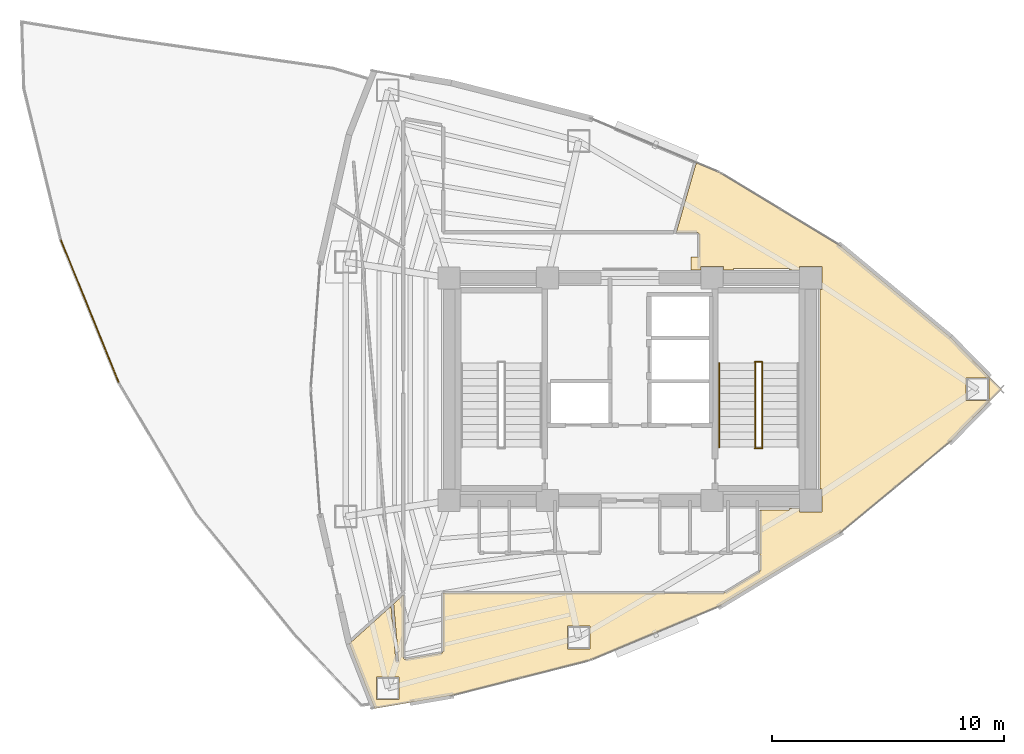
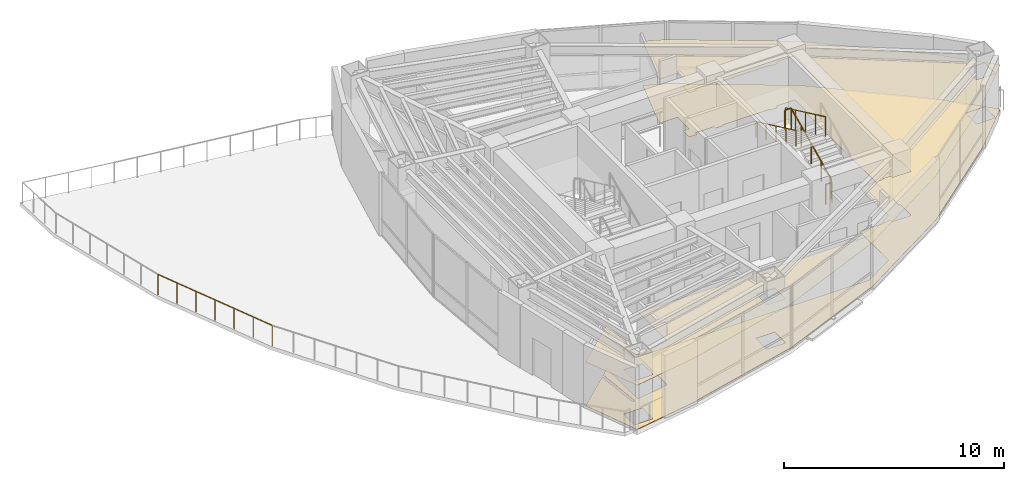
# One storey, part 16 of 17: 6 railings, 2 coverings.
"""IFC4 building model written with IfcOpenShell, lengths in metres."""

from ifc_helpers import new_model, si_unit, direction, frame, origin, origin_2d, place, context, subcontext, project, spatial, polyline, circle, outline, extrude, material, layer, layer_set, type_object, element, save


model = new_model("IFC4")

# Units and contexts
model_context = context("Model", 3, precision=1e-05, world=origin(), true_north=direction((0.0, 1.0)))
body_context = subcontext(model_context, "Body", "Model", "MODEL_VIEW")
ifc_project = project(units=[si_unit("LENGTHUNIT", "METRE"), si_unit("AREAUNIT", "SQUARE_METRE"), si_unit("VOLUMEUNIT", "CUBIC_METRE"), si_unit("PLANEANGLEUNIT", "RADIAN"), si_unit("MASSUNIT", "GRAM", prefix="KILO")], contexts=[model_context])

# Site, building, storey
site_placement = place(None, origin())
site = spatial("IfcSite", under=ifc_project, at=site_placement, CompositionType="ELEMENT")
building_placement = place(site_placement, origin())
building = spatial("IfcBuilding", under=site, at=building_placement, Name="Menara Vayukalpa", CompositionType="ELEMENT")
storey_placement = place(building_placement, frame((0.0, 0.0, 206.39990234375)))
storey = spatial("IfcBuildingStorey", under=building, at=storey_placement, Name="L52", CompositionType="ELEMENT", Elevation=206.39990234375)

# Coverings
ifc_material_1 = material(Name="Mineral Fibre Acoustic Ceiling Tile", Category="masonry")
ifc_layer_1 = layer(ifc_material_1, 0.02490234375)
ifc_layer_set_1 = layer_set([ifc_layer_1], Name="Mineral Fibre Acoustic Ceiling Tile")
covering_type_1 = type_object("IfcCoveringType", Name="COV-CLG1", PredefinedType="CEILING", material=ifc_layer_set_1)
covering_1_placement = place(storey_placement, frame((0.0, 0.0, 2.4501953125)))
element("IfcCovering", 1, at=covering_1_placement, inside=storey, type_object=covering_type_1, Name="L52 Open Plan Office Workplace Acoustic Ceiling", PredefinedType="CEILING", context=body_context, shape_type="SweptSolid", body=[
    extrude(outline(polyline([(32.909912109375, 16.85009765625), (32.909912109375, 16.7099609375), (33.889892578125, 16.7099609375), (33.889892578125, 17.68994140625), (33.81005859375, 17.68994140625), (33.81005859375, 26.31005859375), (33.889892578125, 26.31005859375), (33.889892578125, 27.2900390625), (32.909912109375, 27.2900390625), (32.909912109375, 27.14990234375), (32.489990234375, 27.14990234375), (32.489990234375, 27.2099609375), (30.06005859375, 27.2099609375), (30.06005859375, 27.14990234375), (29.639892578125, 27.14990234375), (29.639892578125, 27.2900390625), (28.659912109375, 27.2900390625), (28.659912109375, 27.14990234375), (28.239990234375, 27.14990234375), (28.239990234375, 27.7099609375), (28.570068359375, 27.7099609375), (28.570068359375, 28.69970703125), (28.569580078125, 28.706787109375), (28.568603515625, 28.713623046875), (28.56689453125, 28.72021484375), (28.564697265625, 28.726806640625), (28.561767578125, 28.73291015625), (28.55810546875, 28.73876953125), (28.553955078125, 28.744384765625), (28.549560546875, 28.74951171875), (28.54443359375, 28.75390625), (28.538818359375, 28.75830078125), (28.532958984375, 28.76171875), (28.52685546875, 28.7646484375), (28.520263671875, 28.76708984375), (28.513671875, 28.768798828125), (28.5068359375, 28.76953125), (28.499755859375, 28.77001953125), (27.616943359375, 28.77001953125), (27.615966796875, 28.77001953125), (27.614990234375, 28.770263671875), (27.614013671875, 28.7705078125), (27.61328125, 28.770751953125), (27.6123046875, 28.771240234375), (27.611572265625, 28.771728515625), (27.610595703125, 28.772216796875), (27.610107421875, 28.77294921875), (27.609375, 28.773681640625), (27.608642578125, 28.7744140625), (27.608154296875, 28.775146484375), (27.60791015625, 28.776123046875), (27.607421875, 28.777099609375), (27.607177734375, 28.77783203125), (27.607177734375, 28.77880859375), (27.60693359375, 28.77978515625), (27.60693359375, 28.78076171875), (27.607177734375, 28.78173828125), (27.607421875, 28.78271484375), (28.459228515625, 31.75390625), (28.459716796875, 31.754638671875), (28.4599609375, 31.755615234375), (28.46044921875, 31.756591796875), (28.461181640625, 31.75732421875), (28.4619140625, 31.758056640625), (28.46240234375, 31.7587890625), (28.46337890625, 31.75927734375), (28.464111328125, 31.759765625), (28.465087890625, 31.76025390625), (28.466064453125, 31.760498046875), (28.466796875, 31.7607421875), (28.468017578125, 31.760986328125), (28.468994140625, 31.760986328125), (28.469970703125, 31.760986328125), (28.470947265625, 31.7607421875), (28.4716796875, 31.760498046875), (28.472900390625, 31.76025390625), (29.478515625, 31.33935546875), (29.479248046875, 31.339111328125), (29.47998046875, 31.338623046875), (34.660888671875, 28.19140625), (34.662109375, 28.190673828125), (39.431884765625, 24.235107421875), (39.4326171875, 24.234375), (41.61962890625, 22.007080078125), (41.620361328125, 22.00634765625), (41.620849609375, 22.005615234375), (41.621337890625, 22.004638671875), (41.621826171875, 22.00390625), (41.6220703125, 22.0029296875), (41.622314453125, 22.001953125), (41.62255859375, 22.0009765625), (41.62255859375, 22.0), (41.62255859375, 21.9990234375), (41.622314453125, 21.998046875), (41.6220703125, 21.9970703125), (41.621826171875, 21.99609375), (41.621337890625, 21.995361328125), (41.620849609375, 21.994384765625), (41.620361328125, 21.99365234375), (41.61962890625, 21.992919921875), (39.4326171875, 19.765625), (39.431884765625, 19.764892578125), (34.662109375, 15.809326171875), (34.660888671875, 15.80859375), (29.47998046875, 12.661376953125), (29.479248046875, 12.660888671875), (29.478515625, 12.66064453125), (23.885986328125, 10.3212890625), (23.884765625, 10.32080078125), (17.8798828125, 8.789306640625), (17.879150390625, 8.7890625), (14.59423828125, 8.2314453125), (14.59326171875, 8.231201171875), (14.59228515625, 8.231201171875), (14.59130859375, 8.2314453125), (14.59033203125, 8.2314453125), (14.58935546875, 8.231689453125), (14.58837890625, 8.232177734375), (14.587646484375, 8.232666015625), (14.5869140625, 8.233154296875), (14.5859375, 8.233642578125), (14.585205078125, 8.234375), (14.584716796875, 8.235107421875), (14.583984375, 8.23583984375), (14.58349609375, 8.23681640625), (14.583251953125, 8.237548828125), (13.494140625, 11.010498046875), (13.493896484375, 11.011474609375), (13.49365234375, 11.012451171875), (13.493408203125, 11.01318359375), (13.493408203125, 11.014404296875), (13.49365234375, 11.015380859375), (13.49365234375, 11.01611328125), (13.493896484375, 11.01708984375), (13.494384765625, 11.01806640625), (13.49462890625, 11.018798828125), (13.4951171875, 11.019775390625), (13.49560546875, 11.0205078125), (13.496337890625, 11.021240234375), (13.4970703125, 11.02197265625), (13.498779296875, 11.023193359375), (15.280517578125, 12.62744140625), (15.28125, 12.6279296875), (15.281982421875, 12.628662109375), (15.28271484375, 12.62890625), (15.28369140625, 12.62939453125), (15.28466796875, 12.629638671875), (15.28564453125, 12.6298828125), (15.28662109375, 12.6298828125), (15.28759765625, 12.6298828125), (15.288330078125, 12.6298828125), (15.289306640625, 12.629638671875), (15.290283203125, 12.62939453125), (15.291259765625, 12.629150390625), (15.2919921875, 12.628662109375), (15.29296875, 12.628173828125), (15.293701171875, 12.627685546875), (15.294189453125, 12.626953125), (15.294921875, 12.626220703125), (15.29541015625, 12.62548828125), (15.2958984375, 12.62451171875), (15.29638671875, 12.623779296875), (15.296630859375, 12.622802734375), (15.296875, 12.621826171875), (15.297119140625, 12.620849609375), (15.501953125, 10.279052734375), (15.502685546875, 10.27294921875), (15.504150390625, 10.26708984375), (15.506103515625, 10.26171875), (15.508544921875, 10.256103515625), (15.511474609375, 10.251220703125), (15.514892578125, 10.246337890625), (15.518798828125, 10.241943359375), (15.523193359375, 10.238037109375), (15.52783203125, 10.234619140625), (15.532958984375, 10.2314453125), (15.5380859375, 10.228759765625), (15.543701171875, 10.226806640625), (15.54931640625, 10.225341796875), (15.55517578125, 10.224365234375), (15.56103515625, 10.22412109375), (15.56689453125, 10.22412109375), (15.57275390625, 10.22509765625), (15.57861328125, 10.226318359375), (15.583984375, 10.228271484375), (15.589599609375, 10.230712890625), (15.594482421875, 10.233642578125), (15.599365234375, 10.2373046875), (15.603759765625, 10.2412109375), (15.607666015625, 10.245361328125), (15.611083984375, 10.25), (15.6142578125, 10.255126953125), (15.616943359375, 10.260498046875), (15.618896484375, 10.26611328125), (15.62060546875, 10.271484375), (15.621337890625, 10.27734375), (15.62158203125, 10.283203125), (15.62158203125, 10.28955078125), (15.407470703125, 12.736328125), (15.407470703125, 12.737548828125), (15.407470703125, 12.738525390625), (15.40771484375, 12.739501953125), (15.407958984375, 12.740478515625), (15.408203125, 12.741455078125), (15.40869140625, 12.7421875), (15.4091796875, 12.7431640625), (15.409912109375, 12.743896484375), (15.41064453125, 12.74462890625), (15.813232421875, 13.107421875), (15.814208984375, 13.10791015625), (15.81494140625, 13.1083984375), (15.81591796875, 13.10888671875), (15.816650390625, 13.109375), (15.817626953125, 13.109619140625), (15.818603515625, 13.10986328125), (15.819580078125, 13.10986328125), (15.82080078125, 13.10986328125), (15.82177734375, 13.10986328125), (15.82275390625, 13.109619140625), (15.823486328125, 13.109130859375), (15.824462890625, 13.10888671875), (15.825439453125, 13.1083984375), (15.826171875, 13.107666015625), (15.826904296875, 13.107177734375), (15.82763671875, 13.1064453125), (15.828125, 13.105712890625), (15.828857421875, 13.104736328125), (15.8291015625, 13.103759765625), (15.82958984375, 13.102783203125), (15.829833984375, 13.101806640625), (15.829833984375, 13.100830078125), (15.830078125, 13.099853515625), (15.830078125, 10.421142578125), (15.830322265625, 10.414306640625), (15.831298828125, 10.407470703125), (15.8330078125, 10.40087890625), (15.835205078125, 10.39453125), (15.837890625, 10.388427734375), (15.841552734375, 10.382568359375), (15.845458984375, 10.376953125), (15.849853515625, 10.3720703125), (15.854736328125, 10.367431640625), (15.860107421875, 10.36328125), (15.865966796875, 10.35986328125), (15.8720703125, 10.356689453125), (15.87841796875, 10.354248046875), (15.884765625, 10.3525390625), (15.8916015625, 10.351318359375), (15.898193359375, 10.350830078125), (15.905029296875, 10.35107421875), (15.912109375, 10.351806640625), (17.471435546875, 10.61669921875), (17.478515625, 10.6181640625), (17.485107421875, 10.62060546875), (17.49169921875, 10.623291015625), (17.497802734375, 10.626708984375), (17.50341796875, 10.630859375), (17.508544921875, 10.635498046875), (17.513427734375, 10.640625), (17.517822265625, 10.646240234375), (17.521484375, 10.652099609375), (17.5244140625, 10.658447265625), (17.52685546875, 10.664794921875), (17.528564453125, 10.671875), (17.529541015625, 10.6787109375), (17.530029296875, 10.685791015625), (17.530029296875, 13.2099609375), (17.530029296875, 13.2109375), (17.5302734375, 13.2119140625), (17.530517578125, 13.212890625), (17.53076171875, 13.2138671875), (17.53125, 13.214599609375), (17.53173828125, 13.215576171875), (17.5322265625, 13.21630859375), (17.532958984375, 13.217041015625), (17.53369140625, 13.2177734375), (17.534423828125, 13.21826171875), (17.535400390625, 13.21875), (17.5361328125, 13.21923828125), (17.537109375, 13.219482421875), (17.5380859375, 13.2197265625), (17.5390625, 13.219970703125), (17.5400390625, 13.219970703125), (29.667236328125, 13.219970703125), (29.673828125, 13.22021484375), (29.68017578125, 13.22119140625), (29.686279296875, 13.22265625), (29.6923828125, 13.224609375), (29.6982421875, 13.22705078125), (29.7041015625, 13.230224609375), (31.18603515625, 14.130615234375), (31.1923828125, 14.134765625), (31.19775390625, 14.139404296875), (31.20263671875, 14.14453125), (31.20703125, 14.150146484375), (31.2109375, 14.15625), (31.214111328125, 14.16259765625), (31.216552734375, 14.16943359375), (31.218505859375, 14.176513671875), (31.219482421875, 14.183349609375), (31.219970703125, 14.19091796875), (31.219970703125, 14.849609375), (31.219482421875, 14.856689453125), (31.21875, 14.86376953125), (31.217041015625, 14.870361328125), (31.214599609375, 14.876708984375), (31.2119140625, 14.8828125), (31.211669921875, 14.883056640625), (31.211181640625, 14.8837890625), (31.210693359375, 14.884765625), (31.21044921875, 14.8857421875), (31.210205078125, 14.88671875), (31.2099609375, 14.8876953125), (31.2099609375, 14.888671875), (31.2099609375, 16.780029296875), (31.2099609375, 16.781005859375), (31.210205078125, 16.781982421875), (31.21044921875, 16.782958984375), (31.210693359375, 16.78369140625), (31.211181640625, 16.78466796875), (31.211669921875, 16.78564453125), (31.21240234375, 16.786376953125), (31.212890625, 16.787109375), (31.213623046875, 16.78759765625), (31.21435546875, 16.788330078125), (31.21533203125, 16.788818359375), (31.21630859375, 16.789306640625), (31.217041015625, 16.78955078125), (31.218017578125, 16.789794921875), (31.218994140625, 16.7900390625), (31.219970703125, 16.7900390625), (32.489990234375, 16.7900390625), (32.489990234375, 16.85009765625), (32.909912109375, 16.85009765625)]), holes=[polyline([(14.664794921875, 9.58740234375), (14.664794921875, 8.607421875), (15.644775390625, 8.607421875), (15.644775390625, 9.58740234375), (14.664794921875, 9.58740234375)]), polyline([(23.87939453125, 11.781494140625), (22.8994140625, 11.781494140625), (22.8994140625, 10.801513671875), (23.87939453125, 10.801513671875), (23.87939453125, 11.781494140625)]), polyline([(41.08056640625, 22.489990234375), (40.1005859375, 22.489990234375), (40.1005859375, 21.510009765625), (41.08056640625, 21.510009765625), (41.08056640625, 22.489990234375)])]), origin(), (0.0, 0.0, 1.0), 0.02490234375),
])
ifc_material_2 = material(Name="Porcelain Stoneware Floor Tile", Category="masonry")
ifc_layer_2 = layer(ifc_material_2, 0.02001953125)
ifc_layer_set_2 = layer_set([ifc_layer_2], Name="Porcelain Stoneware Floor Tile")
covering_type_2 = type_object("IfcCoveringType", Name="COV-FLR1", PredefinedType="FLOORING", material=ifc_layer_set_2)
covering_2_placement = place(storey_placement, origin())
element("IfcCovering", 2, at=covering_2_placement, inside=storey, type_object=covering_type_2, Name="L52 Open Plan Office Workplace Porcelain Flooring", PredefinedType="FLOORING", context=body_context, shape_type="SweptSolid", body=[
    extrude(outline(polyline([(32.909912109375, 16.85009765625), (32.909912109375, 16.7099609375), (33.889892578125, 16.7099609375), (33.889892578125, 17.68994140625), (33.81005859375, 17.68994140625), (33.81005859375, 26.31005859375), (33.889892578125, 26.31005859375), (33.889892578125, 27.2900390625), (32.909912109375, 27.2900390625), (32.909912109375, 27.14990234375), (32.489990234375, 27.14990234375), (32.489990234375, 27.2099609375), (30.06005859375, 27.2099609375), (30.06005859375, 27.14990234375), (29.639892578125, 27.14990234375), (29.639892578125, 27.2900390625), (28.659912109375, 27.2900390625), (28.659912109375, 27.14990234375), (28.239990234375, 27.14990234375), (28.239990234375, 27.7099609375), (28.570068359375, 27.7099609375), (28.570068359375, 28.69970703125), (28.569580078125, 28.706787109375), (28.568603515625, 28.713623046875), (28.56689453125, 28.72021484375), (28.564697265625, 28.726806640625), (28.561767578125, 28.73291015625), (28.55810546875, 28.73876953125), (28.553955078125, 28.744384765625), (28.549560546875, 28.74951171875), (28.54443359375, 28.75390625), (28.538818359375, 28.75830078125), (28.532958984375, 28.76171875), (28.52685546875, 28.7646484375), (28.520263671875, 28.76708984375), (28.513671875, 28.768798828125), (28.5068359375, 28.76953125), (28.499755859375, 28.77001953125), (27.616943359375, 28.77001953125), (27.615966796875, 28.77001953125), (27.614990234375, 28.770263671875), (27.614013671875, 28.7705078125), (27.61328125, 28.770751953125), (27.6123046875, 28.771240234375), (27.611572265625, 28.771728515625), (27.610595703125, 28.772216796875), (27.610107421875, 28.77294921875), (27.609375, 28.773681640625), (27.608642578125, 28.7744140625), (27.608154296875, 28.775146484375), (27.60791015625, 28.776123046875), (27.607421875, 28.777099609375), (27.607177734375, 28.77783203125), (27.607177734375, 28.77880859375), (27.60693359375, 28.77978515625), (27.60693359375, 28.78076171875), (27.607177734375, 28.78173828125), (27.607421875, 28.78271484375), (28.459228515625, 31.75390625), (28.459716796875, 31.754638671875), (28.4599609375, 31.755615234375), (28.46044921875, 31.756591796875), (28.461181640625, 31.75732421875), (28.4619140625, 31.758056640625), (28.46240234375, 31.7587890625), (28.46337890625, 31.75927734375), (28.464111328125, 31.759765625), (28.465087890625, 31.76025390625), (28.466064453125, 31.760498046875), (28.466796875, 31.7607421875), (28.468017578125, 31.760986328125), (28.468994140625, 31.760986328125), (28.469970703125, 31.760986328125), (28.470947265625, 31.7607421875), (28.4716796875, 31.760498046875), (28.472900390625, 31.76025390625), (29.478515625, 31.33935546875), (29.479248046875, 31.339111328125), (29.47998046875, 31.338623046875), (34.660888671875, 28.19140625), (34.662109375, 28.190673828125), (39.431884765625, 24.235107421875), (39.4326171875, 24.234375), (41.61962890625, 22.007080078125), (41.620361328125, 22.00634765625), (41.620849609375, 22.005615234375), (41.621337890625, 22.004638671875), (41.621826171875, 22.00390625), (41.6220703125, 22.0029296875), (41.622314453125, 22.001953125), (41.62255859375, 22.0009765625), (41.62255859375, 22.0), (41.62255859375, 21.9990234375), (41.622314453125, 21.998046875), (41.6220703125, 21.9970703125), (41.621826171875, 21.99609375), (41.621337890625, 21.995361328125), (41.620849609375, 21.994384765625), (41.620361328125, 21.99365234375), (41.61962890625, 21.992919921875), (39.4326171875, 19.765625), (39.431884765625, 19.764892578125), (34.662109375, 15.809326171875), (34.660888671875, 15.80859375), (29.47998046875, 12.661376953125), (29.479248046875, 12.660888671875), (29.478515625, 12.66064453125), (23.885986328125, 10.3212890625), (23.884765625, 10.32080078125), (17.8798828125, 8.789306640625), (17.879150390625, 8.7890625), (14.59423828125, 8.2314453125), (14.59326171875, 8.231201171875), (14.59228515625, 8.231201171875), (14.59130859375, 8.2314453125), (14.59033203125, 8.2314453125), (14.58935546875, 8.231689453125), (14.58837890625, 8.232177734375), (14.587646484375, 8.232666015625), (14.5869140625, 8.233154296875), (14.5859375, 8.233642578125), (14.585205078125, 8.234375), (14.584716796875, 8.235107421875), (14.583984375, 8.23583984375), (14.58349609375, 8.23681640625), (14.583251953125, 8.237548828125), (13.494140625, 11.010498046875), (13.493896484375, 11.011474609375), (13.49365234375, 11.012451171875), (13.493408203125, 11.01318359375), (13.493408203125, 11.014404296875), (13.49365234375, 11.015380859375), (13.49365234375, 11.01611328125), (13.493896484375, 11.01708984375), (13.494384765625, 11.01806640625), (13.49462890625, 11.018798828125), (13.4951171875, 11.019775390625), (13.49560546875, 11.0205078125), (13.496337890625, 11.021240234375), (13.4970703125, 11.02197265625), (13.498779296875, 11.023193359375), (15.280517578125, 12.62744140625), (15.28125, 12.6279296875), (15.281982421875, 12.628662109375), (15.28271484375, 12.62890625), (15.28369140625, 12.62939453125), (15.28466796875, 12.629638671875), (15.28564453125, 12.6298828125), (15.28662109375, 12.6298828125), (15.28759765625, 12.6298828125), (15.288330078125, 12.6298828125), (15.289306640625, 12.629638671875), (15.290283203125, 12.62939453125), (15.291259765625, 12.629150390625), (15.2919921875, 12.628662109375), (15.29296875, 12.628173828125), (15.293701171875, 12.627685546875), (15.294189453125, 12.626953125), (15.294921875, 12.626220703125), (15.29541015625, 12.62548828125), (15.2958984375, 12.62451171875), (15.29638671875, 12.623779296875), (15.296630859375, 12.622802734375), (15.296875, 12.621826171875), (15.297119140625, 12.620849609375), (15.501953125, 10.279052734375), (15.502685546875, 10.27294921875), (15.504150390625, 10.26708984375), (15.506103515625, 10.26171875), (15.508544921875, 10.256103515625), (15.511474609375, 10.251220703125), (15.514892578125, 10.246337890625), (15.518798828125, 10.241943359375), (15.523193359375, 10.238037109375), (15.52783203125, 10.234619140625), (15.532958984375, 10.2314453125), (15.5380859375, 10.228759765625), (15.543701171875, 10.226806640625), (15.54931640625, 10.225341796875), (15.55517578125, 10.224365234375), (15.56103515625, 10.22412109375), (15.56689453125, 10.22412109375), (15.57275390625, 10.22509765625), (15.57861328125, 10.226318359375), (15.583984375, 10.228271484375), (15.589599609375, 10.230712890625), (15.594482421875, 10.233642578125), (15.599365234375, 10.2373046875), (15.603759765625, 10.2412109375), (15.607666015625, 10.245361328125), (15.611083984375, 10.25), (15.6142578125, 10.255126953125), (15.616943359375, 10.260498046875), (15.618896484375, 10.26611328125), (15.62060546875, 10.271484375), (15.621337890625, 10.27734375), (15.62158203125, 10.283203125), (15.62158203125, 10.28955078125), (15.407470703125, 12.736328125), (15.407470703125, 12.737548828125), (15.407470703125, 12.738525390625), (15.40771484375, 12.739501953125), (15.407958984375, 12.740478515625), (15.408203125, 12.741455078125), (15.40869140625, 12.7421875), (15.4091796875, 12.7431640625), (15.409912109375, 12.743896484375), (15.41064453125, 12.74462890625), (15.813232421875, 13.107421875), (15.814208984375, 13.10791015625), (15.81494140625, 13.1083984375), (15.81591796875, 13.10888671875), (15.816650390625, 13.109375), (15.817626953125, 13.109619140625), (15.818603515625, 13.10986328125), (15.819580078125, 13.10986328125), (15.82080078125, 13.10986328125), (15.82177734375, 13.10986328125), (15.82275390625, 13.109619140625), (15.823486328125, 13.109130859375), (15.824462890625, 13.10888671875), (15.825439453125, 13.1083984375), (15.826171875, 13.107666015625), (15.826904296875, 13.107177734375), (15.82763671875, 13.1064453125), (15.828125, 13.105712890625), (15.828857421875, 13.104736328125), (15.8291015625, 13.103759765625), (15.82958984375, 13.102783203125), (15.829833984375, 13.101806640625), (15.829833984375, 13.100830078125), (15.830078125, 13.099853515625), (15.830078125, 10.421142578125), (15.830322265625, 10.414306640625), (15.831298828125, 10.407470703125), (15.8330078125, 10.40087890625), (15.835205078125, 10.39453125), (15.837890625, 10.388427734375), (15.841552734375, 10.382568359375), (15.845458984375, 10.376953125), (15.849853515625, 10.3720703125), (15.854736328125, 10.367431640625), (15.860107421875, 10.36328125), (15.865966796875, 10.35986328125), (15.8720703125, 10.356689453125), (15.87841796875, 10.354248046875), (15.884765625, 10.3525390625), (15.8916015625, 10.351318359375), (15.898193359375, 10.350830078125), (15.905029296875, 10.35107421875), (15.912109375, 10.351806640625), (17.471435546875, 10.61669921875), (17.478515625, 10.6181640625), (17.485107421875, 10.62060546875), (17.49169921875, 10.623291015625), (17.497802734375, 10.626708984375), (17.50341796875, 10.630859375), (17.508544921875, 10.635498046875), (17.513427734375, 10.640625), (17.517822265625, 10.646240234375), (17.521484375, 10.652099609375), (17.5244140625, 10.658447265625), (17.52685546875, 10.664794921875), (17.528564453125, 10.671875), (17.529541015625, 10.6787109375), (17.530029296875, 10.685791015625), (17.530029296875, 13.2099609375), (17.530029296875, 13.2109375), (17.5302734375, 13.2119140625), (17.530517578125, 13.212890625), (17.53076171875, 13.2138671875), (17.53125, 13.214599609375), (17.53173828125, 13.215576171875), (17.5322265625, 13.21630859375), (17.532958984375, 13.217041015625), (17.53369140625, 13.2177734375), (17.534423828125, 13.21826171875), (17.535400390625, 13.21875), (17.5361328125, 13.21923828125), (17.537109375, 13.219482421875), (17.5380859375, 13.2197265625), (17.5390625, 13.219970703125), (17.5400390625, 13.219970703125), (29.667236328125, 13.219970703125), (29.673828125, 13.22021484375), (29.68017578125, 13.22119140625), (29.686279296875, 13.22265625), (29.6923828125, 13.224609375), (29.6982421875, 13.22705078125), (29.7041015625, 13.230224609375), (31.18603515625, 14.130615234375), (31.1923828125, 14.134765625), (31.19775390625, 14.139404296875), (31.20263671875, 14.14453125), (31.20703125, 14.150146484375), (31.2109375, 14.15625), (31.214111328125, 14.16259765625), (31.216552734375, 14.16943359375), (31.218505859375, 14.176513671875), (31.219482421875, 14.183349609375), (31.219970703125, 14.19091796875), (31.219970703125, 14.849609375), (31.219482421875, 14.856689453125), (31.21875, 14.86376953125), (31.217041015625, 14.870361328125), (31.214599609375, 14.876708984375), (31.2119140625, 14.8828125), (31.211669921875, 14.883056640625), (31.211181640625, 14.8837890625), (31.210693359375, 14.884765625), (31.21044921875, 14.8857421875), (31.210205078125, 14.88671875), (31.2099609375, 14.8876953125), (31.2099609375, 14.888671875), (31.2099609375, 16.780029296875), (31.2099609375, 16.781005859375), (31.210205078125, 16.781982421875), (31.21044921875, 16.782958984375), (31.210693359375, 16.78369140625), (31.211181640625, 16.78466796875), (31.211669921875, 16.78564453125), (31.21240234375, 16.786376953125), (31.212890625, 16.787109375), (31.213623046875, 16.78759765625), (31.21435546875, 16.788330078125), (31.21533203125, 16.788818359375), (31.21630859375, 16.789306640625), (31.217041015625, 16.78955078125), (31.218017578125, 16.789794921875), (31.218994140625, 16.7900390625), (31.219970703125, 16.7900390625), (32.489990234375, 16.7900390625), (32.489990234375, 16.85009765625), (32.909912109375, 16.85009765625)]), holes=[polyline([(14.664794921875, 9.58740234375), (14.664794921875, 8.607421875), (15.644775390625, 8.607421875), (15.644775390625, 9.58740234375), (14.664794921875, 9.58740234375)]), polyline([(23.87939453125, 11.781494140625), (22.8994140625, 11.781494140625), (22.8994140625, 10.801513671875), (23.87939453125, 10.801513671875), (23.87939453125, 11.781494140625)]), polyline([(41.08056640625, 22.489990234375), (40.1005859375, 22.489990234375), (40.1005859375, 21.510009765625), (41.08056640625, 21.510009765625), (41.08056640625, 22.489990234375)])]), origin(), (0.0, 0.0, 1.0), 0.02001953125),
])

# Railings
ifc_material_3 = material(Name="Laminated Glass and Stainless Steel 316 Guardrail", Category="steel")
railing_type_1 = type_object("IfcRailingType", Name="RLG-EXT115", PredefinedType="GUARDRAIL", material=ifc_material_3)
railing_1_placement = place(storey_placement, frame((3.536865234375, 22.316162109375, 0.0)))
element("IfcRailing", 3, at=railing_1_placement, inside=storey, type_object=railing_type_1, Name="L52 Sky Terrace Perimeter Guardrail 04", PredefinedType="GUARDRAIL", context=body_context, shape_type="SweptSolid", body=[
    extrude(circle(Radius=0.02392578125, at=origin_2d()), frame((0.0, 0.0, 1.1259765625), z_axis=(-0.376103891041, 0.926577499805, 0.0), x_axis=(-0.926577499805, -0.376103891041, 0.0)), (0.0, 0.0, 1.0), 6.59326171875),
    extrude(circle(Radius=0.02099609375, at=origin_2d()), origin(), (0.0, 0.0, 1.0), 1.101806640625),
    extrude(circle(Radius=0.02099609375, at=origin_2d()), frame((-0.413330078125, 1.01806640625, 0.0)), (0.0, 0.0, 1.0), 1.101806640625),
    extrude(circle(Radius=0.02099609375, at=origin_2d()), frame((-0.82666015625, 2.036376953125, 0.0)), (0.0, 0.0, 1.0), 1.101806640625),
    extrude(circle(Radius=0.02099609375, at=origin_2d()), frame((-1.23974609375, 3.0546875, 0.0)), (0.0, 0.0, 1.0), 1.101806640625),
    extrude(circle(Radius=0.02099609375, at=origin_2d()), frame((-1.653076171875, 4.07275390625, 0.0)), (0.0, 0.0, 1.0), 1.101806640625),
    extrude(circle(Radius=0.02099609375, at=origin_2d()), frame((-2.06640625, 5.0908203125, 0.0)), (0.0, 0.0, 1.0), 1.101806640625),
    extrude(circle(Radius=0.02099609375, at=origin_2d()), frame((-2.479736328125, 6.109130859375, 0.0)), (0.0, 0.0, 1.0), 1.101806640625),
])
ifc_material_4 = material(Name="Powder-Coated Galvanised Steel Guardrail", Category="steel")
railing_type_2 = type_object("IfcRailingType", Name="RLG-STG110", PredefinedType="GUARDRAIL", material=ifc_material_4)
railing_2_placement = place(storey_placement, frame((31.300048828125, 19.5, 0.155029296875)))
element("IfcRailing", 4, at=railing_2_placement, inside=storey, type_object=railing_type_2, Name="L52 ST-2 stair guard 1", PredefinedType="GUARDRAIL", context=body_context, shape_type="SweptSolid", body=[
    extrude(circle(Radius=0.02392578125, at=origin_2d()), frame((0.0, 0.0, 1.09619140625), z_axis=(0.0, 0.90511648382, 0.425163675209), x_axis=(-1.0, 0.0, 0.0)), (0.0, 0.0, 1.0), 4.010498046875),
    extrude(circle(Radius=0.02099609375, at=origin_2d()), origin(), (0.0, 0.0, 1.0), 1.072021484375),
    extrude(circle(Radius=0.02099609375, at=origin_2d()), frame((0.0, 0.907470703125, 0.42626953125)), (0.0, 0.0, 1.0), 1.072021484375),
    extrude(circle(Radius=0.02099609375, at=origin_2d()), frame((0.0, 1.81494140625, 0.8525390625)), (0.0, 0.0, 1.0), 1.072021484375),
    extrude(circle(Radius=0.02099609375, at=origin_2d()), frame((0.0, 2.722412109375, 1.27880859375)), (0.0, 0.0, 1.0), 1.072021484375),
    extrude(circle(Radius=0.02099609375, at=origin_2d()), frame((0.0, 3.6298828125, 1.705078125)), (0.0, 0.0, 1.0), 1.072021484375),
])
railing_3_placement = place(storey_placement, frame((31.31005859375, 23.179931640625, 1.860107421875)))
element("IfcRailing", 5, at=railing_3_placement, inside=storey, type_object=railing_type_2, Name="L52 ST-2 stair guard 2", PredefinedType="GUARDRAIL", context=body_context, shape_type="SweptSolid", body=[
    extrude(circle(Radius=0.02392578125, at=origin_2d()), frame((0.0, 0.0, 1.09619140625), z_axis=(-1.0, 0.0, 0.0), x_axis=(0.0, -1.0, 0.0)), (0.0, 0.0, 1.0), 0.320068359375),
    extrude(circle(Radius=0.02099609375, at=origin_2d()), origin(), (0.0, 0.0, 1.0), 1.072021484375),
    extrude(circle(Radius=0.02099609375, at=origin_2d()), frame((-0.320068359375, 0.0, 0.0)), (0.0, 0.0, 1.0), 1.072021484375),
])
railing_4_placement = place(storey_placement, frame((31.0, 23.1298828125, 2.01513671875)))
element("IfcRailing", 6, at=railing_4_placement, inside=storey, type_object=railing_type_2, Name="L52 ST-2 stair guard 3", PredefinedType="GUARDRAIL", context=body_context, shape_type="SweptSolid", body=[
    extrude(circle(Radius=0.02392578125, at=origin_2d()), frame((0.0, 0.0, 1.09619140625), z_axis=(0.0, -0.90511648382, 0.425163675209), x_axis=(1.0, 0.0, 0.0)), (0.0, 0.0, 1.0), 4.010498046875),
    extrude(circle(Radius=0.02099609375, at=origin_2d()), origin(), (0.0, 0.0, 1.0), 1.072021484375),
    extrude(circle(Radius=0.02099609375, at=origin_2d()), frame((0.0, -0.907470703125, 0.42626953125)), (0.0, 0.0, 1.0), 1.072021484375),
    extrude(circle(Radius=0.02099609375, at=origin_2d()), frame((0.0, -1.81494140625, 0.8525390625)), (0.0, 0.0, 1.0), 1.072021484375),
    extrude(circle(Radius=0.02099609375, at=origin_2d()), frame((0.0, -2.722412109375, 1.27880859375)), (0.0, 0.0, 1.0), 1.072021484375),
    extrude(circle(Radius=0.02099609375, at=origin_2d()), frame((0.0, -3.6298828125, 1.705078125)), (0.0, 0.0, 1.0), 1.072021484375),
])
railing_5_placement = place(storey_placement, frame((31.31005859375, 19.449951171875, 0.0)))
element("IfcRailing", 7, at=railing_5_placement, inside=storey, type_object=railing_type_2, Name="L52 ST-2 stair guard 4", PredefinedType="GUARDRAIL", context=body_context, shape_type="SweptSolid", body=[
    extrude(circle(Radius=0.02392578125, at=origin_2d()), frame((0.0, 0.0, 1.09619140625), z_axis=(-1.0, 0.0, 0.0), x_axis=(0.0, -1.0, 0.0)), (0.0, 0.0, 1.0), 0.320068359375),
    extrude(circle(Radius=0.02099609375, at=origin_2d()), origin(), (0.0, 0.0, 1.0), 1.072021484375),
    extrude(circle(Radius=0.02099609375, at=origin_2d()), frame((-0.320068359375, 0.0, 0.0)), (0.0, 0.0, 1.0), 1.072021484375),
])
ifc_material_5 = material(Name="Stainless Steel 316 Tubular Handrail", Category="steel")
railing_type_3 = type_object("IfcRailingType", Name="RLG-STH090", PredefinedType="HANDRAIL", material=ifc_material_5)
railing_6_placement = place(storey_placement, frame((29.449951171875, 23.1298828125, 2.01513671875)))
element("IfcRailing", 8, at=railing_6_placement, inside=storey, type_object=railing_type_3, Name="L52 ST-2 stair handrail 2", PredefinedType="HANDRAIL", context=body_context, shape_type="SweptSolid", body=[
    extrude(circle(Radius=0.02392578125, at=origin_2d()), frame((0.0, 0.0, 0.8759765625), z_axis=(0.0, -0.90511648382, 0.425163675209), x_axis=(1.0, 0.0, 0.0)), (0.0, 0.0, 1.0), 4.010498046875),
    extrude(circle(Radius=0.02099609375, at=origin_2d()), origin(), (0.0, 0.0, 1.0), 0.851806640625),
    extrude(circle(Radius=0.02099609375, at=origin_2d()), frame((0.0, -0.907470703125, 0.42626953125)), (0.0, 0.0, 1.0), 0.851806640625),
    extrude(circle(Radius=0.02099609375, at=origin_2d()), frame((0.0, -1.81494140625, 0.8525390625)), (0.0, 0.0, 1.0), 0.851806640625),
    extrude(circle(Radius=0.02099609375, at=origin_2d()), frame((0.0, -2.722412109375, 1.27880859375)), (0.0, 0.0, 1.0), 0.851806640625),
    extrude(circle(Radius=0.02099609375, at=origin_2d()), frame((0.0, -3.6298828125, 1.705078125)), (0.0, 0.0, 1.0), 0.851806640625),
])

save(model, "model.ifc")
